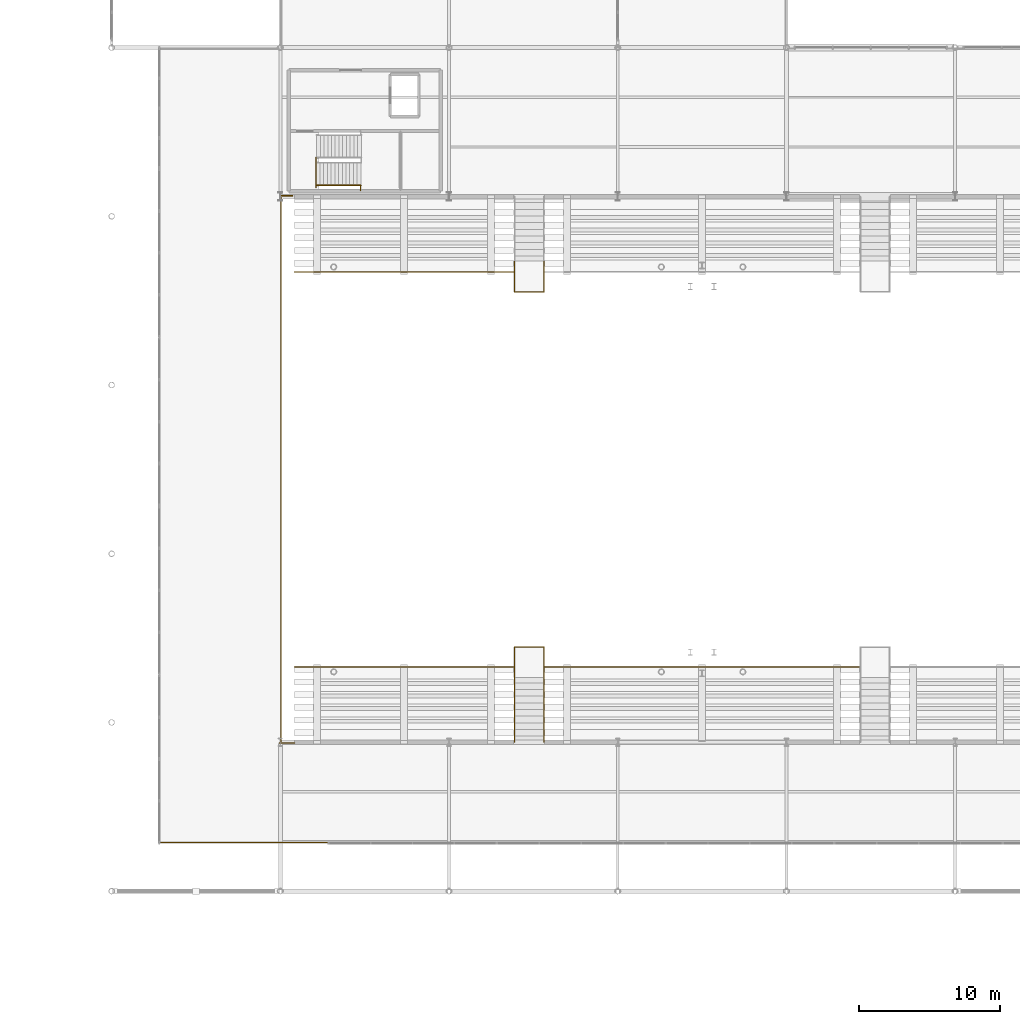
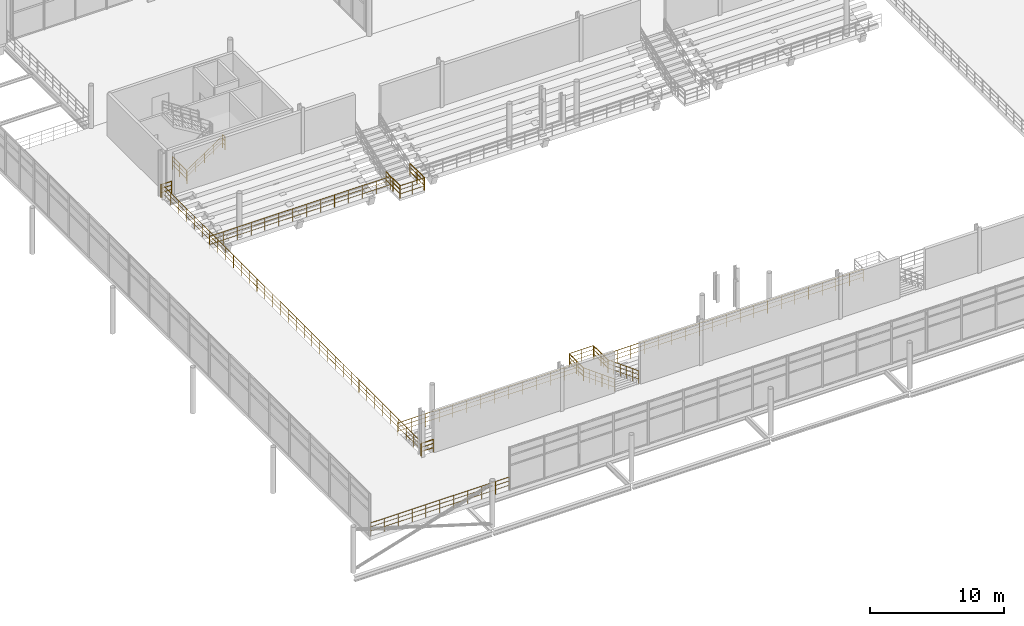
# One storey, part 77 of 89: 18 railings.
"""IFC4 building model written with IfcOpenShell, lengths in metres."""

from ifc_helpers import new_model, si_unit, direction, frame, origin, origin_2d, place, context, subcontext, project, spatial, circle, extrude, material, layer, layer_set, type_object, element, save


model = new_model("IFC4")

# Units and contexts
model_context = context("Model", 3, precision=1e-05, world=origin(), true_north=direction((0.0, 1.0)))
body_context = subcontext(model_context, "Body", "Model", "MODEL_VIEW")
ifc_project = project(units=[si_unit("LENGTHUNIT", "METRE"), si_unit("AREAUNIT", "SQUARE_METRE"), si_unit("VOLUMEUNIT", "CUBIC_METRE"), si_unit("PLANEANGLEUNIT", "RADIAN"), si_unit("MASSUNIT", "GRAM", prefix="KILO"), si_unit("THERMODYNAMICTEMPERATUREUNIT", "KELVIN"), si_unit("POWERUNIT", "WATT")], contexts=[model_context])

# Site, building, storey
site_placement = place(None, origin())
site = spatial("IfcSite", under=ifc_project, at=site_placement, CompositionType="ELEMENT")
building_placement = place(site_placement, origin())
building = spatial("IfcBuilding", under=site, at=building_placement, Name="Solmara Park Aquatics Centre", CompositionType="ELEMENT")
storey_placement = place(building_placement, frame((0.0, 0.0, 5.39990234375)))
storey = spatial("IfcBuildingStorey", under=building, at=storey_placement, Name="L01", CompositionType="ELEMENT", Elevation=5.39990234375)

# Railings
ifc_material_1 = material(Name="Brushed Marine-Grade Stainless Steel 316L Handrail", Category="steel")
ifc_layer_1 = layer(ifc_material_1, 0.044921875, Name="Brushed Marine-Grade Stainless Steel 316L Handrail")
ifc_layer_set_1 = layer_set([ifc_layer_1], Name="Brushed Marine-Grade Stainless Steel 316L Handrail")
railing_type_1 = type_object("IfcRailingType", Name="ARC-RL-HND090", PredefinedType="HANDRAIL", material=ifc_layer_set_1)
railing_1_placement = place(storey_placement, frame((27.14990234375, 62.81005859375, 0.16162109375)))
element("IfcRailing", 1, at=railing_1_placement, inside=storey, type_object=railing_type_1, Name="ST-04 Protected Exit Stair (L01 to L02) Flight 1 Outer Handrail", PredefinedType="HANDRAIL", context=body_context, shape_type="SweptSolid", body=[
    extrude(circle(Radius=0.02392578125, at=origin_2d()), frame((0.0, 0.0, 0.89599609375), z_axis=(0.834466833004, 0.0, 0.551058168087), x_axis=(0.0, 1.0, 0.0)), (0.0, 0.0, 1.0), 3.81103515625),
    extrude(circle(Radius=0.01416015625, at=origin_2d()), frame((0.0, 0.0, 0.322021484375), z_axis=(0.834466833004, 0.0, 0.551058168087), x_axis=(0.0, 1.0, 0.0)), (0.0, 0.0, 1.0), 3.81103515625),
    extrude(circle(Radius=0.01416015625, at=origin_2d()), frame((0.0, 0.0, 0.62548828125), z_axis=(0.834466833004, 0.0, 0.551058168087), x_axis=(0.0, 1.0, 0.0)), (0.0, 0.0, 1.0), 3.81103515625),
    extrude(circle(Radius=0.02099609375, at=origin_2d()), origin(), (0.0, 0.0, 1.0), 0.871826171875),
    extrude(circle(Radius=0.02099609375, at=origin_2d()), frame((0.794921875, 0.0, 0.52490234375)), (0.0, 0.0, 1.0), 0.871826171875),
    extrude(circle(Radius=0.02099609375, at=origin_2d()), frame((1.590087890625, 0.0, 1.050048828125)), (0.0, 0.0, 1.0), 0.871826171875),
    extrude(circle(Radius=0.02099609375, at=origin_2d()), frame((2.38525390625, 0.0, 1.5751953125)), (0.0, 0.0, 1.0), 0.871826171875),
    extrude(circle(Radius=0.02099609375, at=origin_2d()), frame((3.18017578125, 0.0, 2.10009765625)), (0.0, 0.0, 1.0), 0.871826171875),
])
ifc_material_2 = material(Name="Toughened Glass and Stainless Steel Stand Guardrail", Category="steel")
ifc_layer_2 = layer(ifc_material_2, 0.06005859375, Name="Toughened Glass and Stainless Steel Stand Guardrail")
ifc_layer_set_2 = layer_set([ifc_layer_2], Name="Toughened Glass and Stainless Steel Stand Guardrail")
railing_type_2 = type_object("IfcRailingType", Name="ARC-RL-STD110", PredefinedType="GUARDRAIL", material=ifc_layer_set_2)
railing_2_placement = place(storey_placement, frame((25.60009765625, 56.64990234375, -1.7998046875)))
element("IfcRailing", 2, at=railing_2_placement, inside=storey, type_object=railing_type_2, Name="Lower North Stand Front Guardrail 1", PredefinedType="GUARDRAIL", context=body_context, shape_type="SweptSolid", body=[
    extrude(circle(Radius=0.02392578125, at=origin_2d()), frame((0.0, 0.0, 1.15576171875), z_axis=(1.0, 0.0, 0.0), x_axis=(0.0, 1.0, 0.0)), (0.0, 0.0, 1.0), 15.599853515625),
    extrude(circle(Radius=0.01416015625, at=origin_2d()), frame((0.0, 0.0, 0.4130859375), z_axis=(1.0, 0.0, 0.0), x_axis=(0.0, 1.0, 0.0)), (0.0, 0.0, 1.0), 15.599853515625),
    extrude(circle(Radius=0.01416015625, at=origin_2d()), frame((0.0, 0.0, 0.80224609375), z_axis=(1.0, 0.0, 0.0), x_axis=(0.0, 1.0, 0.0)), (0.0, 0.0, 1.0), 15.599853515625),
    extrude(circle(Radius=0.02099609375, at=origin_2d()), origin(), (0.0, 0.0, 1.0), 1.1318359375),
    extrude(circle(Radius=0.02099609375, at=origin_2d()), frame((1.199951171875, 0.0, 0.0)), (0.0, 0.0, 1.0), 1.1318359375),
    extrude(circle(Radius=0.02099609375, at=origin_2d()), frame((2.39990234375, 0.0, 0.0)), (0.0, 0.0, 1.0), 1.1318359375),
    extrude(circle(Radius=0.02099609375, at=origin_2d()), frame((3.599853515625, 0.0, 0.0)), (0.0, 0.0, 1.0), 1.1318359375),
    extrude(circle(Radius=0.02099609375, at=origin_2d()), frame((4.800048828125, 0.0, 0.0)), (0.0, 0.0, 1.0), 1.1318359375),
    extrude(circle(Radius=0.02099609375, at=origin_2d()), frame((6.0, 0.0, 0.0)), (0.0, 0.0, 1.0), 1.1318359375),
    extrude(circle(Radius=0.02099609375, at=origin_2d()), frame((7.199951171875, 0.0, 0.0)), (0.0, 0.0, 1.0), 1.1318359375),
    extrude(circle(Radius=0.02099609375, at=origin_2d()), frame((8.39990234375, 0.0, 0.0)), (0.0, 0.0, 1.0), 1.1318359375),
    extrude(circle(Radius=0.02099609375, at=origin_2d()), frame((9.599853515625, 0.0, 0.0)), (0.0, 0.0, 1.0), 1.1318359375),
    extrude(circle(Radius=0.02099609375, at=origin_2d()), frame((10.7998046875, 0.0, 0.0)), (0.0, 0.0, 1.0), 1.1318359375),
    extrude(circle(Radius=0.02099609375, at=origin_2d()), frame((12.0, 0.0, 0.0)), (0.0, 0.0, 1.0), 1.1318359375),
    extrude(circle(Radius=0.02099609375, at=origin_2d()), frame((13.199951171875, 0.0, 0.0)), (0.0, 0.0, 1.0), 1.1318359375),
    extrude(circle(Radius=0.02099609375, at=origin_2d()), frame((14.39990234375, 0.0, 0.0)), (0.0, 0.0, 1.0), 1.1318359375),
    extrude(circle(Radius=0.02099609375, at=origin_2d()), frame((15.599853515625, 0.0, 0.0)), (0.0, 0.0, 1.0), 1.1318359375),
])
railing_3_placement = place(storey_placement, frame((25.60009765625, 28.550048828125, -1.7998046875)))
element("IfcRailing", 3, at=railing_3_placement, inside=storey, type_object=railing_type_2, Name="Lower South Stand Front Guardrail 2", PredefinedType="GUARDRAIL", context=body_context, shape_type="SweptSolid", body=[
    extrude(circle(Radius=0.02392578125, at=origin_2d()), frame((0.0, 0.0, 1.15576171875), z_axis=(1.0, 0.0, 0.0), x_axis=(0.0, 1.0, 0.0)), (0.0, 0.0, 1.0), 15.599853515625),
    extrude(circle(Radius=0.01416015625, at=origin_2d()), frame((0.0, 0.0, 0.4130859375), z_axis=(1.0, 0.0, 0.0), x_axis=(0.0, 1.0, 0.0)), (0.0, 0.0, 1.0), 15.599853515625),
    extrude(circle(Radius=0.01416015625, at=origin_2d()), frame((0.0, 0.0, 0.80224609375), z_axis=(1.0, 0.0, 0.0), x_axis=(0.0, 1.0, 0.0)), (0.0, 0.0, 1.0), 15.599853515625),
    extrude(circle(Radius=0.02099609375, at=origin_2d()), origin(), (0.0, 0.0, 1.0), 1.1318359375),
    extrude(circle(Radius=0.02099609375, at=origin_2d()), frame((1.199951171875, 0.0, 0.0)), (0.0, 0.0, 1.0), 1.1318359375),
    extrude(circle(Radius=0.02099609375, at=origin_2d()), frame((2.39990234375, 0.0, 0.0)), (0.0, 0.0, 1.0), 1.1318359375),
    extrude(circle(Radius=0.02099609375, at=origin_2d()), frame((3.599853515625, 0.0, 0.0)), (0.0, 0.0, 1.0), 1.1318359375),
    extrude(circle(Radius=0.02099609375, at=origin_2d()), frame((4.800048828125, 0.0, 0.0)), (0.0, 0.0, 1.0), 1.1318359375),
    extrude(circle(Radius=0.02099609375, at=origin_2d()), frame((6.0, 0.0, 0.0)), (0.0, 0.0, 1.0), 1.1318359375),
    extrude(circle(Radius=0.02099609375, at=origin_2d()), frame((7.199951171875, 0.0, 0.0)), (0.0, 0.0, 1.0), 1.1318359375),
    extrude(circle(Radius=0.02099609375, at=origin_2d()), frame((8.39990234375, 0.0, 0.0)), (0.0, 0.0, 1.0), 1.1318359375),
    extrude(circle(Radius=0.02099609375, at=origin_2d()), frame((9.599853515625, 0.0, 0.0)), (0.0, 0.0, 1.0), 1.1318359375),
    extrude(circle(Radius=0.02099609375, at=origin_2d()), frame((10.7998046875, 0.0, 0.0)), (0.0, 0.0, 1.0), 1.1318359375),
    extrude(circle(Radius=0.02099609375, at=origin_2d()), frame((12.0, 0.0, 0.0)), (0.0, 0.0, 1.0), 1.1318359375),
    extrude(circle(Radius=0.02099609375, at=origin_2d()), frame((13.199951171875, 0.0, 0.0)), (0.0, 0.0, 1.0), 1.1318359375),
    extrude(circle(Radius=0.02099609375, at=origin_2d()), frame((14.39990234375, 0.0, 0.0)), (0.0, 0.0, 1.0), 1.1318359375),
    extrude(circle(Radius=0.02099609375, at=origin_2d()), frame((15.599853515625, 0.0, 0.0)), (0.0, 0.0, 1.0), 1.1318359375),
])
railing_4_placement = place(storey_placement, frame((43.39990234375, 28.550048828125, -1.7998046875)))
element("IfcRailing", 4, at=railing_4_placement, inside=storey, type_object=railing_type_2, Name="Lower South Stand Front Guardrail 4", PredefinedType="GUARDRAIL", context=body_context, shape_type="SweptSolid", body=[
    extrude(circle(Radius=0.02392578125, at=origin_2d()), frame((0.0, 0.0, 1.15576171875), z_axis=(1.0, 0.0, 0.0), x_axis=(0.0, 1.0, 0.0)), (0.0, 0.0, 1.0), 22.400146484375),
    extrude(circle(Radius=0.01416015625, at=origin_2d()), frame((0.0, 0.0, 0.4130859375), z_axis=(1.0, 0.0, 0.0), x_axis=(0.0, 1.0, 0.0)), (0.0, 0.0, 1.0), 22.400146484375),
    extrude(circle(Radius=0.01416015625, at=origin_2d()), frame((0.0, 0.0, 0.80224609375), z_axis=(1.0, 0.0, 0.0), x_axis=(0.0, 1.0, 0.0)), (0.0, 0.0, 1.0), 22.400146484375),
    extrude(circle(Radius=0.02099609375, at=origin_2d()), origin(), (0.0, 0.0, 1.0), 1.1318359375),
    extrude(circle(Radius=0.02099609375, at=origin_2d()), frame((1.178955078125, 0.0, 0.0)), (0.0, 0.0, 1.0), 1.1318359375),
    extrude(circle(Radius=0.02099609375, at=origin_2d()), frame((2.35791015625, 0.0, 0.0)), (0.0, 0.0, 1.0), 1.1318359375),
    extrude(circle(Radius=0.02099609375, at=origin_2d()), frame((3.536865234375, 0.0, 0.0)), (0.0, 0.0, 1.0), 1.1318359375),
    extrude(circle(Radius=0.02099609375, at=origin_2d()), frame((4.7158203125, 0.0, 0.0)), (0.0, 0.0, 1.0), 1.1318359375),
    extrude(circle(Radius=0.02099609375, at=origin_2d()), frame((5.894775390625, 0.0, 0.0)), (0.0, 0.0, 1.0), 1.1318359375),
    extrude(circle(Radius=0.02099609375, at=origin_2d()), frame((7.07373046875, 0.0, 0.0)), (0.0, 0.0, 1.0), 1.1318359375),
    extrude(circle(Radius=0.02099609375, at=origin_2d()), frame((8.252685546875, 0.0, 0.0)), (0.0, 0.0, 1.0), 1.1318359375),
    extrude(circle(Radius=0.02099609375, at=origin_2d()), frame((9.431640625, 0.0, 0.0)), (0.0, 0.0, 1.0), 1.1318359375),
    extrude(circle(Radius=0.02099609375, at=origin_2d()), frame((10.610595703125, 0.0, 0.0)), (0.0, 0.0, 1.0), 1.1318359375),
    extrude(circle(Radius=0.02099609375, at=origin_2d()), frame((11.78955078125, 0.0, 0.0)), (0.0, 0.0, 1.0), 1.1318359375),
    extrude(circle(Radius=0.02099609375, at=origin_2d()), frame((12.968505859375, 0.0, 0.0)), (0.0, 0.0, 1.0), 1.1318359375),
    extrude(circle(Radius=0.02099609375, at=origin_2d()), frame((14.1474609375, 0.0, 0.0)), (0.0, 0.0, 1.0), 1.1318359375),
    extrude(circle(Radius=0.02099609375, at=origin_2d()), frame((15.326416015625, 0.0, 0.0)), (0.0, 0.0, 1.0), 1.1318359375),
    extrude(circle(Radius=0.02099609375, at=origin_2d()), frame((16.50537109375, 0.0, 0.0)), (0.0, 0.0, 1.0), 1.1318359375),
    extrude(circle(Radius=0.02099609375, at=origin_2d()), frame((17.684326171875, 0.0, 0.0)), (0.0, 0.0, 1.0), 1.1318359375),
    extrude(circle(Radius=0.02099609375, at=origin_2d()), frame((18.86328125, 0.0, 0.0)), (0.0, 0.0, 1.0), 1.1318359375),
    extrude(circle(Radius=0.02099609375, at=origin_2d()), frame((20.042236328125, 0.0, 0.0)), (0.0, 0.0, 1.0), 1.1318359375),
    extrude(circle(Radius=0.02099609375, at=origin_2d()), frame((21.22119140625, 0.0, 0.0)), (0.0, 0.0, 1.0), 1.1318359375),
    extrude(circle(Radius=0.02099609375, at=origin_2d()), frame((22.400146484375, 0.0, 0.0)), (0.0, 0.0, 1.0), 1.1318359375),
])
railing_5_placement = place(storey_placement, frame((24.64990234375, 23.25, 0.0)))
element("IfcRailing", 5, at=railing_5_placement, inside=storey, type_object=railing_type_2, Name="Atrium & Gallery Void Guardrail 11", PredefinedType="GUARDRAIL", context=body_context, shape_type="SweptSolid", body=[
    extrude(circle(Radius=0.02392578125, at=origin_2d()), frame((0.0, 0.0, 1.15576171875), z_axis=(0.0, 1.0, 0.0), x_axis=(-1.0, 0.0, 0.0)), (0.0, 0.0, 1.0), 38.699951171875),
    extrude(circle(Radius=0.01416015625, at=origin_2d()), frame((0.0, 0.0, 0.4130859375), z_axis=(0.0, 1.0, 0.0), x_axis=(-1.0, 0.0, 0.0)), (0.0, 0.0, 1.0), 38.699951171875),
    extrude(circle(Radius=0.01416015625, at=origin_2d()), frame((0.0, 0.0, 0.80224609375), z_axis=(0.0, 1.0, 0.0), x_axis=(-1.0, 0.0, 0.0)), (0.0, 0.0, 1.0), 38.699951171875),
    extrude(circle(Radius=0.02099609375, at=origin_2d()), origin(), (0.0, 0.0, 1.0), 1.1318359375),
    extrude(circle(Radius=0.02099609375, at=origin_2d()), frame((0.0, 1.172607421875, 0.0)), (0.0, 0.0, 1.0), 1.1318359375),
    extrude(circle(Radius=0.02099609375, at=origin_2d()), frame((0.0, 2.345458984375, 0.0)), (0.0, 0.0, 1.0), 1.1318359375),
    extrude(circle(Radius=0.02099609375, at=origin_2d()), frame((0.0, 3.51806640625, 0.0)), (0.0, 0.0, 1.0), 1.1318359375),
    extrude(circle(Radius=0.02099609375, at=origin_2d()), frame((0.0, 4.69091796875, 0.0)), (0.0, 0.0, 1.0), 1.1318359375),
    extrude(circle(Radius=0.02099609375, at=origin_2d()), frame((0.0, 5.863525390625, 0.0)), (0.0, 0.0, 1.0), 1.1318359375),
    extrude(circle(Radius=0.02099609375, at=origin_2d()), frame((0.0, 7.036376953125, 0.0)), (0.0, 0.0, 1.0), 1.1318359375),
    extrude(circle(Radius=0.02099609375, at=origin_2d()), frame((0.0, 8.208984375, 0.0)), (0.0, 0.0, 1.0), 1.1318359375),
    extrude(circle(Radius=0.02099609375, at=origin_2d()), frame((0.0, 9.3818359375, 0.0)), (0.0, 0.0, 1.0), 1.1318359375),
    extrude(circle(Radius=0.02099609375, at=origin_2d()), frame((0.0, 10.554443359375, 0.0)), (0.0, 0.0, 1.0), 1.1318359375),
    extrude(circle(Radius=0.02099609375, at=origin_2d()), frame((0.0, 11.727294921875, 0.0)), (0.0, 0.0, 1.0), 1.1318359375),
    extrude(circle(Radius=0.02099609375, at=origin_2d()), frame((0.0, 12.89990234375, 0.0)), (0.0, 0.0, 1.0), 1.1318359375),
    extrude(circle(Radius=0.02099609375, at=origin_2d()), frame((0.0, 14.07275390625, 0.0)), (0.0, 0.0, 1.0), 1.1318359375),
    extrude(circle(Radius=0.02099609375, at=origin_2d()), frame((0.0, 15.245361328125, 0.0)), (0.0, 0.0, 1.0), 1.1318359375),
    extrude(circle(Radius=0.02099609375, at=origin_2d()), frame((0.0, 16.418212890625, 0.0)), (0.0, 0.0, 1.0), 1.1318359375),
    extrude(circle(Radius=0.02099609375, at=origin_2d()), frame((0.0, 17.5908203125, 0.0)), (0.0, 0.0, 1.0), 1.1318359375),
    extrude(circle(Radius=0.02099609375, at=origin_2d()), frame((0.0, 18.763671875, 0.0)), (0.0, 0.0, 1.0), 1.1318359375),
    extrude(circle(Radius=0.02099609375, at=origin_2d()), frame((0.0, 19.936279296875, 0.0)), (0.0, 0.0, 1.0), 1.1318359375),
    extrude(circle(Radius=0.02099609375, at=origin_2d()), frame((0.0, 21.109130859375, 0.0)), (0.0, 0.0, 1.0), 1.1318359375),
    extrude(circle(Radius=0.02099609375, at=origin_2d()), frame((0.0, 22.28173828125, 0.0)), (0.0, 0.0, 1.0), 1.1318359375),
    extrude(circle(Radius=0.02099609375, at=origin_2d()), frame((0.0, 23.45458984375, 0.0)), (0.0, 0.0, 1.0), 1.1318359375),
    extrude(circle(Radius=0.02099609375, at=origin_2d()), frame((0.0, 24.627197265625, 0.0)), (0.0, 0.0, 1.0), 1.1318359375),
    extrude(circle(Radius=0.02099609375, at=origin_2d()), frame((0.0, 25.800048828125, 0.0)), (0.0, 0.0, 1.0), 1.1318359375),
    extrude(circle(Radius=0.02099609375, at=origin_2d()), frame((0.0, 26.97265625, 0.0)), (0.0, 0.0, 1.0), 1.1318359375),
    extrude(circle(Radius=0.02099609375, at=origin_2d()), frame((0.0, 28.1455078125, 0.0)), (0.0, 0.0, 1.0), 1.1318359375),
    extrude(circle(Radius=0.02099609375, at=origin_2d()), frame((0.0, 29.318115234375, 0.0)), (0.0, 0.0, 1.0), 1.1318359375),
    extrude(circle(Radius=0.02099609375, at=origin_2d()), frame((0.0, 30.490966796875, 0.0)), (0.0, 0.0, 1.0), 1.1318359375),
    extrude(circle(Radius=0.02099609375, at=origin_2d()), frame((0.0, 31.66357421875, 0.0)), (0.0, 0.0, 1.0), 1.1318359375),
    extrude(circle(Radius=0.02099609375, at=origin_2d()), frame((0.0, 32.83642578125, 0.0)), (0.0, 0.0, 1.0), 1.1318359375),
    extrude(circle(Radius=0.02099609375, at=origin_2d()), frame((0.0, 34.009033203125, 0.0)), (0.0, 0.0, 1.0), 1.1318359375),
    extrude(circle(Radius=0.02099609375, at=origin_2d()), frame((0.0, 35.181884765625, 0.0)), (0.0, 0.0, 1.0), 1.1318359375),
    extrude(circle(Radius=0.02099609375, at=origin_2d()), frame((0.0, 36.3544921875, 0.0)), (0.0, 0.0, 1.0), 1.1318359375),
    extrude(circle(Radius=0.02099609375, at=origin_2d()), frame((0.0, 37.52734375, 0.0)), (0.0, 0.0, 1.0), 1.1318359375),
    extrude(circle(Radius=0.02099609375, at=origin_2d()), frame((0.0, 38.699951171875, 0.0)), (0.0, 0.0, 1.0), 1.1318359375),
])
railing_6_placement = place(storey_placement, frame((28.06005859375, 16.06005859375, 0.0)))
element("IfcRailing", 6, at=railing_6_placement, inside=storey, type_object=railing_type_2, Name="L01 Slab Edge Guardrail 042", PredefinedType="GUARDRAIL", context=body_context, shape_type="SweptSolid", body=[
    extrude(circle(Radius=0.02392578125, at=origin_2d()), frame((0.0, 0.0, 1.15576171875), z_axis=(-1.0, 0.0, 0.0), x_axis=(0.0, -1.0, 0.0)), (0.0, 0.0, 1.0), 12.0),
    extrude(circle(Radius=0.01416015625, at=origin_2d()), frame((0.0, 0.0, 0.4130859375), z_axis=(-1.0, 0.0, 0.0), x_axis=(0.0, -1.0, 0.0)), (0.0, 0.0, 1.0), 12.0),
    extrude(circle(Radius=0.01416015625, at=origin_2d()), frame((0.0, 0.0, 0.80224609375), z_axis=(-1.0, 0.0, 0.0), x_axis=(0.0, -1.0, 0.0)), (0.0, 0.0, 1.0), 12.0),
    extrude(circle(Radius=0.02099609375, at=origin_2d()), origin(), (0.0, 0.0, 1.0), 1.1318359375),
    extrude(circle(Radius=0.02099609375, at=origin_2d()), frame((-1.199951171875, 0.0, 0.0)), (0.0, 0.0, 1.0), 1.1318359375),
    extrude(circle(Radius=0.02099609375, at=origin_2d()), frame((-2.39990234375, 0.0, 0.0)), (0.0, 0.0, 1.0), 1.1318359375),
    extrude(circle(Radius=0.02099609375, at=origin_2d()), frame((-3.60009765625, 0.0, 0.0)), (0.0, 0.0, 1.0), 1.1318359375),
    extrude(circle(Radius=0.02099609375, at=origin_2d()), frame((-4.800048828125, 0.0, 0.0)), (0.0, 0.0, 1.0), 1.1318359375),
    extrude(circle(Radius=0.02099609375, at=origin_2d()), frame((-6.0, 0.0, 0.0)), (0.0, 0.0, 1.0), 1.1318359375),
    extrude(circle(Radius=0.02099609375, at=origin_2d()), frame((-7.199951171875, 0.0, 0.0)), (0.0, 0.0, 1.0), 1.1318359375),
    extrude(circle(Radius=0.02099609375, at=origin_2d()), frame((-8.39990234375, 0.0, 0.0)), (0.0, 0.0, 1.0), 1.1318359375),
    extrude(circle(Radius=0.02099609375, at=origin_2d()), frame((-9.60009765625, 0.0, 0.0)), (0.0, 0.0, 1.0), 1.1318359375),
    extrude(circle(Radius=0.02099609375, at=origin_2d()), frame((-10.800048828125, 0.0, 0.0)), (0.0, 0.0, 1.0), 1.1318359375),
    extrude(circle(Radius=0.02099609375, at=origin_2d()), frame((-12.0, 0.0, 0.0)), (0.0, 0.0, 1.0), 1.1318359375),
])
railing_7_placement = place(storey_placement, frame((24.5400390625, 23.139892578125, 0.0)))
element("IfcRailing", 7, at=railing_7_placement, inside=storey, type_object=railing_type_2, Name="L01 Slab Edge Guardrail 043", PredefinedType="GUARDRAIL", context=body_context, shape_type="SweptSolid", body=[
    extrude(circle(Radius=0.02392578125, at=origin_2d()), frame((0.0, 0.0, 1.15576171875), z_axis=(1.0, 0.0, 0.0), x_axis=(0.0, 1.0, 0.0)), (0.0, 0.0, 1.0), 1.06005859375),
    extrude(circle(Radius=0.01416015625, at=origin_2d()), frame((0.0, 0.0, 0.4130859375), z_axis=(1.0, 0.0, 0.0), x_axis=(0.0, 1.0, 0.0)), (0.0, 0.0, 1.0), 1.06005859375),
    extrude(circle(Radius=0.01416015625, at=origin_2d()), frame((0.0, 0.0, 0.80224609375), z_axis=(1.0, 0.0, 0.0), x_axis=(0.0, 1.0, 0.0)), (0.0, 0.0, 1.0), 1.06005859375),
    extrude(circle(Radius=0.02099609375, at=origin_2d()), origin(), (0.0, 0.0, 1.0), 1.1318359375),
    extrude(circle(Radius=0.02099609375, at=origin_2d()), frame((1.06005859375, 0.0, 0.0)), (0.0, 0.0, 1.0), 1.1318359375),
])
railing_8_placement = place(storey_placement, frame((25.4736328125, 62.06005859375, 0.0)))
element("IfcRailing", 8, at=railing_8_placement, inside=storey, type_object=railing_type_2, Name="L01 Slab Edge Guardrail 046", PredefinedType="GUARDRAIL", context=body_context, shape_type="SweptSolid", body=[
    extrude(circle(Radius=0.02392578125, at=origin_2d()), frame((0.0, 0.0, 1.15576171875), z_axis=(-1.0, 0.0, 0.0), x_axis=(0.0, -1.0, 0.0)), (0.0, 0.0, 1.0), 0.93359375),
    extrude(circle(Radius=0.01416015625, at=origin_2d()), frame((0.0, 0.0, 0.4130859375), z_axis=(-1.0, 0.0, 0.0), x_axis=(0.0, -1.0, 0.0)), (0.0, 0.0, 1.0), 0.93359375),
    extrude(circle(Radius=0.01416015625, at=origin_2d()), frame((0.0, 0.0, 0.80224609375), z_axis=(-1.0, 0.0, 0.0), x_axis=(0.0, -1.0, 0.0)), (0.0, 0.0, 1.0), 0.93359375),
    extrude(circle(Radius=0.02099609375, at=origin_2d()), origin(), (0.0, 0.0, 1.0), 1.1318359375),
    extrude(circle(Radius=0.02099609375, at=origin_2d()), frame((-0.93359375, 0.0, 0.0)), (0.0, 0.0, 1.0), 1.1318359375),
])
ifc_material_3 = material(Name="Brushed Stainless Steel Guardrail", Category="steel")
ifc_layer_3 = layer(ifc_material_3, 0.050048828125, Name="Brushed Stainless Steel Guardrail")
ifc_layer_set_3 = layer_set([ifc_layer_3], Name="Brushed Stainless Steel Guardrail")
railing_type_3 = type_object("IfcRailingType", Name="ARC-RL-STR110", PredefinedType="GUARDRAIL", material=ifc_layer_set_3)
railing_9_placement = place(storey_placement, frame((27.1298828125, 62.669921875, 0.0)))
element("IfcRailing", 9, at=railing_9_placement, inside=storey, type_object=railing_type_3, Name="ST-04 Protected Exit Stair (L00 to L01) Arrival Well Guardrail", PredefinedType="GUARDRAIL", context=body_context, shape_type="SweptSolid", body=[
    extrude(circle(Radius=0.02392578125, at=origin_2d()), frame((0.0, 0.0, 1.15576171875), z_axis=(0.0, 1.0, 0.0), x_axis=(-1.0, 0.0, 0.0)), (0.0, 0.0, 1.0), 2.1201171875),
    extrude(circle(Radius=0.01416015625, at=origin_2d()), frame((0.0, 0.0, 0.4130859375), z_axis=(0.0, 1.0, 0.0), x_axis=(-1.0, 0.0, 0.0)), (0.0, 0.0, 1.0), 2.1201171875),
    extrude(circle(Radius=0.01416015625, at=origin_2d()), frame((0.0, 0.0, 0.80224609375), z_axis=(0.0, 1.0, 0.0), x_axis=(-1.0, 0.0, 0.0)), (0.0, 0.0, 1.0), 2.1201171875),
    extrude(circle(Radius=0.02099609375, at=origin_2d()), origin(), (0.0, 0.0, 1.0), 1.1318359375),
    extrude(circle(Radius=0.02099609375, at=origin_2d()), frame((0.0, 1.06005859375, 0.0)), (0.0, 0.0, 1.0), 1.1318359375),
    extrude(circle(Radius=0.02099609375, at=origin_2d()), frame((0.0, 2.1201171875, 0.0)), (0.0, 0.0, 1.0), 1.1318359375),
])
railing_10_placement = place(storey_placement, frame((30.300048828125, 62.43994140625, 2.10009765625)))
element("IfcRailing", 10, at=railing_10_placement, inside=storey, type_object=railing_type_3, Name="ST-04 Protected Exit Stair (L01 to L02) Half-Landing South Slot Guardrail", PredefinedType="GUARDRAIL", context=body_context, shape_type="SweptSolid", body=[
    extrude(circle(Radius=0.02392578125, at=origin_2d()), frame((0.0, 0.0, 1.15576171875), z_axis=(0.0, 1.0, 0.0), x_axis=(-1.0, 0.0, 0.0)), (0.0, 0.0, 1.0), 0.360107421875),
    extrude(circle(Radius=0.01416015625, at=origin_2d()), frame((0.0, 0.0, 0.4130859375), z_axis=(0.0, 1.0, 0.0), x_axis=(-1.0, 0.0, 0.0)), (0.0, 0.0, 1.0), 0.360107421875),
    extrude(circle(Radius=0.01416015625, at=origin_2d()), frame((0.0, 0.0, 0.80224609375), z_axis=(0.0, 1.0, 0.0), x_axis=(-1.0, 0.0, 0.0)), (0.0, 0.0, 1.0), 0.360107421875),
    extrude(circle(Radius=0.02099609375, at=origin_2d()), origin(), (0.0, 0.0, 1.0), 1.1318359375),
    extrude(circle(Radius=0.02099609375, at=origin_2d()), frame((0.0, 0.360107421875, 0.0)), (0.0, 0.0, 1.0), 1.1318359375),
])
for number, where, name in (
    (11, (41.25, 55.27001953125, -1.7998046875), "Vomitory Stair VS-01 Landing Side Guardrail 1"),
    (12, (43.35009765625, 55.27001953125, -1.7998046875), "Vomitory Stair VS-01 Landing Side Guardrail 2"),
):
    element("IfcRailing", number, at=place(storey_placement, frame(where)), inside=storey, type_object=railing_type_3, Name=name, PredefinedType="GUARDRAIL", context=body_context, shape_type="SweptSolid", body=[
        extrude(circle(Radius=0.02392578125, at=origin_2d()), frame((0.0, 0.0, 1.15576171875), z_axis=(0.0, 1.0, 0.0), x_axis=(-1.0, 0.0, 0.0)), (0.0, 0.0, 1.0), 2.10009765625),
        extrude(circle(Radius=0.01416015625, at=origin_2d()), frame((0.0, 0.0, 0.4130859375), z_axis=(0.0, 1.0, 0.0), x_axis=(-1.0, 0.0, 0.0)), (0.0, 0.0, 1.0), 2.10009765625),
        extrude(circle(Radius=0.01416015625, at=origin_2d()), frame((0.0, 0.0, 0.80224609375), z_axis=(0.0, 1.0, 0.0), x_axis=(-1.0, 0.0, 0.0)), (0.0, 0.0, 1.0), 2.10009765625),
        extrude(circle(Radius=0.02099609375, at=origin_2d()), origin(), (0.0, 0.0, 1.0), 1.1318359375),
        extrude(circle(Radius=0.02099609375, at=origin_2d()), frame((0.0, 1.050048828125, 0.0)), (0.0, 0.0, 1.0), 1.1318359375),
        extrude(circle(Radius=0.02099609375, at=origin_2d()), frame((0.0, 2.10009765625, 0.0)), (0.0, 0.0, 1.0), 1.1318359375),
    ])
railing_11_placement = place(storey_placement, frame((41.25, 55.22998046875, -1.7998046875)))
element("IfcRailing", 13, at=railing_11_placement, inside=storey, type_object=railing_type_3, Name="Vomitory Stair VS-01 Landing Front Guardrail", PredefinedType="GUARDRAIL", context=body_context, shape_type="SweptSolid", body=[
    extrude(circle(Radius=0.02392578125, at=origin_2d()), frame((0.0, 0.0, 1.15576171875), z_axis=(1.0, 0.0, 0.0), x_axis=(0.0, 1.0, 0.0)), (0.0, 0.0, 1.0), 2.10009765625),
    extrude(circle(Radius=0.01416015625, at=origin_2d()), frame((0.0, 0.0, 0.4130859375), z_axis=(1.0, 0.0, 0.0), x_axis=(0.0, 1.0, 0.0)), (0.0, 0.0, 1.0), 2.10009765625),
    extrude(circle(Radius=0.01416015625, at=origin_2d()), frame((0.0, 0.0, 0.80224609375), z_axis=(1.0, 0.0, 0.0), x_axis=(0.0, 1.0, 0.0)), (0.0, 0.0, 1.0), 2.10009765625),
    extrude(circle(Radius=0.02099609375, at=origin_2d()), origin(), (0.0, 0.0, 1.0), 1.1318359375),
    extrude(circle(Radius=0.02099609375, at=origin_2d()), frame((1.050048828125, 0.0, 0.0)), (0.0, 0.0, 1.0), 1.1318359375),
    extrude(circle(Radius=0.02099609375, at=origin_2d()), frame((2.10009765625, 0.0, 0.0)), (0.0, 0.0, 1.0), 1.1318359375),
])
railing_12_placement = place(storey_placement, frame((41.25, 27.85009765625, -1.7998046875)))
element("IfcRailing", 14, at=railing_12_placement, inside=storey, type_object=railing_type_3, Name="Vomitory Stair VS-03 Flight Guardrail 1", PredefinedType="GUARDRAIL", context=body_context, shape_type="SweptSolid", body=[
    extrude(circle(Radius=0.02392578125, at=origin_2d()), frame((0.0, 0.0, 1.15576171875), z_axis=(0.0, -0.932585112195, 0.360950146852), x_axis=(1.0, 0.0, 0.0)), (0.0, 0.0, 1.0), 4.986328125),
    extrude(circle(Radius=0.01416015625, at=origin_2d()), frame((0.0, 0.0, 0.4130859375), z_axis=(0.0, -0.932585112195, 0.360950146852), x_axis=(1.0, 0.0, 0.0)), (0.0, 0.0, 1.0), 4.986328125),
    extrude(circle(Radius=0.01416015625, at=origin_2d()), frame((0.0, 0.0, 0.80224609375), z_axis=(0.0, -0.932585112195, 0.360950146852), x_axis=(1.0, 0.0, 0.0)), (0.0, 0.0, 1.0), 4.986328125),
    extrude(circle(Radius=0.02099609375, at=origin_2d()), origin(), (0.0, 0.0, 1.0), 1.1318359375),
    extrude(circle(Radius=0.02099609375, at=origin_2d()), frame((0.0, -0.929931640625, 0.35986328125)), (0.0, 0.0, 1.0), 1.1318359375),
    extrude(circle(Radius=0.02099609375, at=origin_2d()), frame((0.0, -1.860107421875, 0.719970703125)), (0.0, 0.0, 1.0), 1.1318359375),
    extrude(circle(Radius=0.02099609375, at=origin_2d()), frame((0.0, -2.7900390625, 1.079833984375)), (0.0, 0.0, 1.0), 1.1318359375),
    extrude(circle(Radius=0.02099609375, at=origin_2d()), frame((0.0, -3.72021484375, 1.43994140625)), (0.0, 0.0, 1.0), 1.1318359375),
    extrude(circle(Radius=0.02099609375, at=origin_2d()), frame((0.0, -4.650146484375, 1.7998046875)), (0.0, 0.0, 1.0), 1.1318359375),
])
railing_13_placement = place(storey_placement, frame((41.25, 27.830078125, -1.7998046875)))
element("IfcRailing", 15, at=railing_13_placement, inside=storey, type_object=railing_type_3, Name="Vomitory Stair VS-03 Landing Side Guardrail 1", PredefinedType="GUARDRAIL", context=body_context, shape_type="SweptSolid", body=[
    extrude(circle(Radius=0.02392578125, at=origin_2d()), frame((0.0, 0.0, 1.15576171875), z_axis=(0.0, 1.0, 0.0), x_axis=(-1.0, 0.0, 0.0)), (0.0, 0.0, 1.0), 2.099853515625),
    extrude(circle(Radius=0.01416015625, at=origin_2d()), frame((0.0, 0.0, 0.4130859375), z_axis=(0.0, 1.0, 0.0), x_axis=(-1.0, 0.0, 0.0)), (0.0, 0.0, 1.0), 2.099853515625),
    extrude(circle(Radius=0.01416015625, at=origin_2d()), frame((0.0, 0.0, 0.80224609375), z_axis=(0.0, 1.0, 0.0), x_axis=(-1.0, 0.0, 0.0)), (0.0, 0.0, 1.0), 2.099853515625),
    extrude(circle(Radius=0.02099609375, at=origin_2d()), origin(), (0.0, 0.0, 1.0), 1.1318359375),
    extrude(circle(Radius=0.02099609375, at=origin_2d()), frame((0.0, 1.0498046875, 0.0)), (0.0, 0.0, 1.0), 1.1318359375),
    extrude(circle(Radius=0.02099609375, at=origin_2d()), frame((0.0, 2.099853515625, 0.0)), (0.0, 0.0, 1.0), 1.1318359375),
])
railing_14_placement = place(storey_placement, frame((43.35009765625, 27.85009765625, -1.7998046875)))
element("IfcRailing", 16, at=railing_14_placement, inside=storey, type_object=railing_type_3, Name="Vomitory Stair VS-03 Flight Guardrail 2", PredefinedType="GUARDRAIL", context=body_context, shape_type="SweptSolid", body=[
    extrude(circle(Radius=0.02392578125, at=origin_2d()), frame((0.0, 0.0, 1.15576171875), z_axis=(0.0, -0.932585112195, 0.360950146852), x_axis=(1.0, 0.0, 0.0)), (0.0, 0.0, 1.0), 4.986328125),
    extrude(circle(Radius=0.01416015625, at=origin_2d()), frame((0.0, 0.0, 0.4130859375), z_axis=(0.0, -0.932585112195, 0.360950146852), x_axis=(1.0, 0.0, 0.0)), (0.0, 0.0, 1.0), 4.986328125),
    extrude(circle(Radius=0.01416015625, at=origin_2d()), frame((0.0, 0.0, 0.80224609375), z_axis=(0.0, -0.932585112195, 0.360950146852), x_axis=(1.0, 0.0, 0.0)), (0.0, 0.0, 1.0), 4.986328125),
    extrude(circle(Radius=0.02099609375, at=origin_2d()), origin(), (0.0, 0.0, 1.0), 1.1318359375),
    extrude(circle(Radius=0.02099609375, at=origin_2d()), frame((0.0, -0.929931640625, 0.35986328125)), (0.0, 0.0, 1.0), 1.1318359375),
    extrude(circle(Radius=0.02099609375, at=origin_2d()), frame((0.0, -1.860107421875, 0.719970703125)), (0.0, 0.0, 1.0), 1.1318359375),
    extrude(circle(Radius=0.02099609375, at=origin_2d()), frame((0.0, -2.7900390625, 1.079833984375)), (0.0, 0.0, 1.0), 1.1318359375),
    extrude(circle(Radius=0.02099609375, at=origin_2d()), frame((0.0, -3.72021484375, 1.43994140625)), (0.0, 0.0, 1.0), 1.1318359375),
    extrude(circle(Radius=0.02099609375, at=origin_2d()), frame((0.0, -4.650146484375, 1.7998046875)), (0.0, 0.0, 1.0), 1.1318359375),
])
railing_15_placement = place(storey_placement, frame((43.35009765625, 27.830078125, -1.7998046875)))
element("IfcRailing", 17, at=railing_15_placement, inside=storey, type_object=railing_type_3, Name="Vomitory Stair VS-03 Landing Side Guardrail 2", PredefinedType="GUARDRAIL", context=body_context, shape_type="SweptSolid", body=[
    extrude(circle(Radius=0.02392578125, at=origin_2d()), frame((0.0, 0.0, 1.15576171875), z_axis=(0.0, 1.0, 0.0), x_axis=(-1.0, 0.0, 0.0)), (0.0, 0.0, 1.0), 2.099853515625),
    extrude(circle(Radius=0.01416015625, at=origin_2d()), frame((0.0, 0.0, 0.4130859375), z_axis=(0.0, 1.0, 0.0), x_axis=(-1.0, 0.0, 0.0)), (0.0, 0.0, 1.0), 2.099853515625),
    extrude(circle(Radius=0.01416015625, at=origin_2d()), frame((0.0, 0.0, 0.80224609375), z_axis=(0.0, 1.0, 0.0), x_axis=(-1.0, 0.0, 0.0)), (0.0, 0.0, 1.0), 2.099853515625),
    extrude(circle(Radius=0.02099609375, at=origin_2d()), origin(), (0.0, 0.0, 1.0), 1.1318359375),
    extrude(circle(Radius=0.02099609375, at=origin_2d()), frame((0.0, 1.0498046875, 0.0)), (0.0, 0.0, 1.0), 1.1318359375),
    extrude(circle(Radius=0.02099609375, at=origin_2d()), frame((0.0, 2.099853515625, 0.0)), (0.0, 0.0, 1.0), 1.1318359375),
])
railing_16_placement = place(storey_placement, frame((41.25, 29.969970703125, -1.7998046875)))
element("IfcRailing", 18, at=railing_16_placement, inside=storey, type_object=railing_type_3, Name="Vomitory Stair VS-03 Landing Front Guardrail", PredefinedType="GUARDRAIL", context=body_context, shape_type="SweptSolid", body=[
    extrude(circle(Radius=0.02392578125, at=origin_2d()), frame((0.0, 0.0, 1.15576171875), z_axis=(1.0, 0.0, 0.0), x_axis=(0.0, 1.0, 0.0)), (0.0, 0.0, 1.0), 2.10009765625),
    extrude(circle(Radius=0.01416015625, at=origin_2d()), frame((0.0, 0.0, 0.4130859375), z_axis=(1.0, 0.0, 0.0), x_axis=(0.0, 1.0, 0.0)), (0.0, 0.0, 1.0), 2.10009765625),
    extrude(circle(Radius=0.01416015625, at=origin_2d()), frame((0.0, 0.0, 0.80224609375), z_axis=(1.0, 0.0, 0.0), x_axis=(0.0, 1.0, 0.0)), (0.0, 0.0, 1.0), 2.10009765625),
    extrude(circle(Radius=0.02099609375, at=origin_2d()), origin(), (0.0, 0.0, 1.0), 1.1318359375),
    extrude(circle(Radius=0.02099609375, at=origin_2d()), frame((1.050048828125, 0.0, 0.0)), (0.0, 0.0, 1.0), 1.1318359375),
    extrude(circle(Radius=0.02099609375, at=origin_2d()), frame((2.10009765625, 0.0, 0.0)), (0.0, 0.0, 1.0), 1.1318359375),
])

save(model, "model.ifc")
